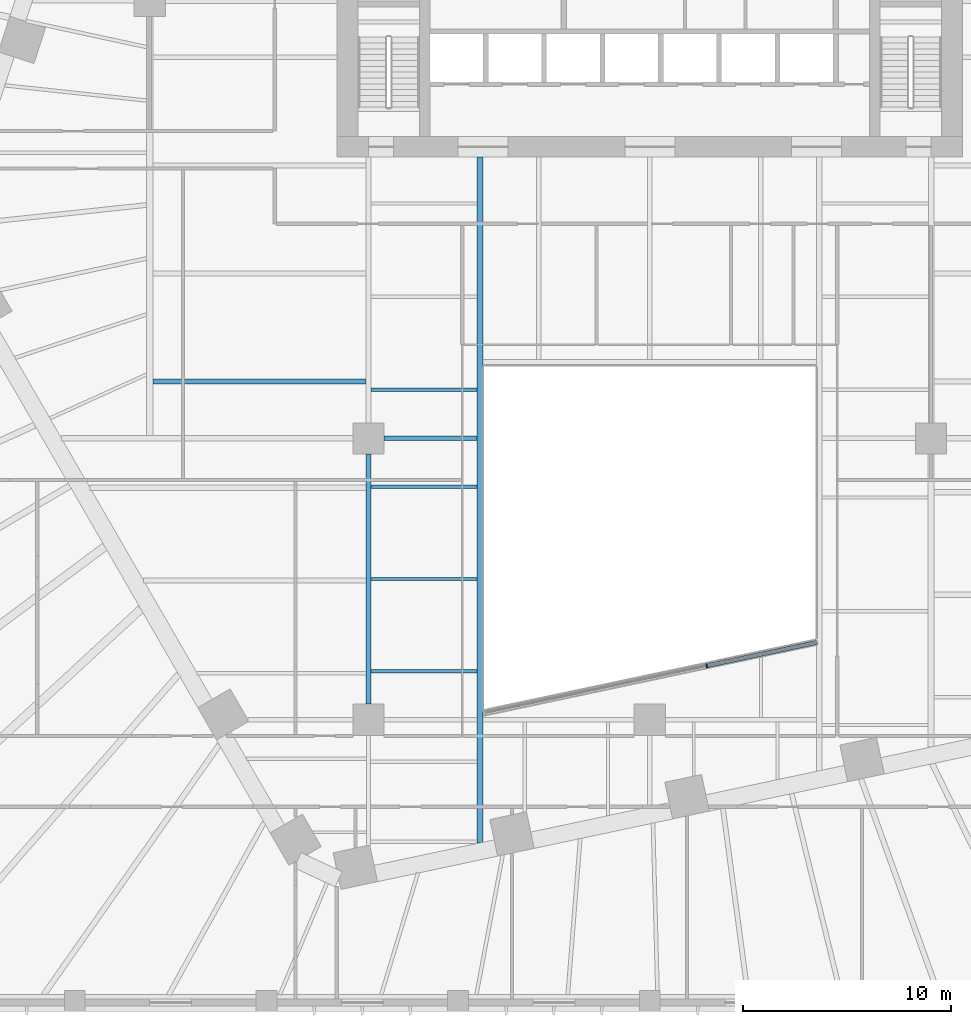
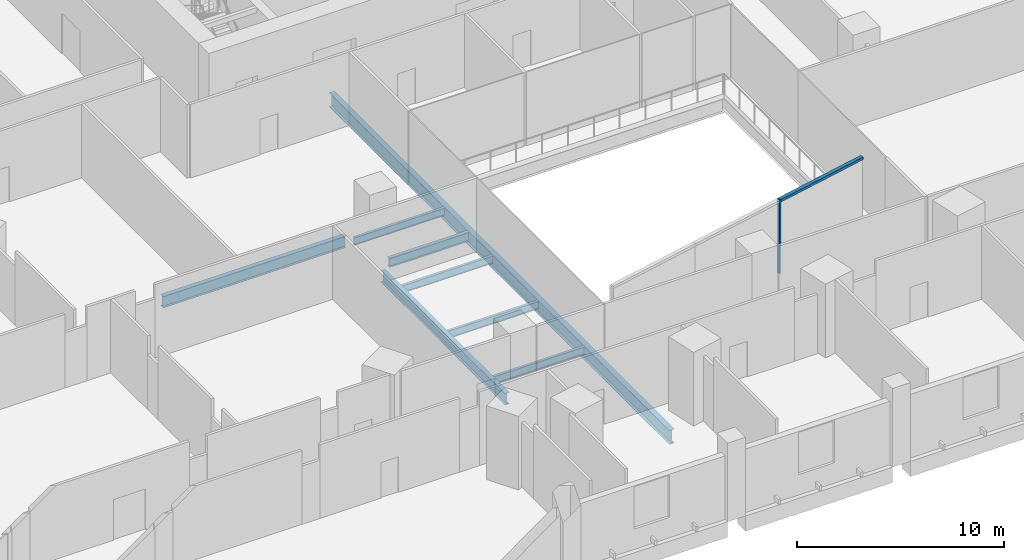
# One storey, part 3 of 33: 8 beams, 2 members, 1 element without a shape of its own.
"""IFC4 building model written with IfcOpenShell, lengths in metres."""

from ifc_helpers import new_model, si_unit, direction, frame, origin, origin_2d, place, context, subcontext, project, spatial, rectangle, i_section, extrude, material, layer, layer_set, material_profile, profile_set, type_object, element, aggregate, save


model = new_model("IFC4")

# Units and contexts
model_context = context("Model", 3, precision=1e-05, world=origin(), true_north=direction((0.0, 1.0)))
body_context = subcontext(model_context, "Body", "Model", "MODEL_VIEW")
ifc_project = project(units=[si_unit("LENGTHUNIT", "METRE"), si_unit("AREAUNIT", "SQUARE_METRE"), si_unit("VOLUMEUNIT", "CUBIC_METRE"), si_unit("PLANEANGLEUNIT", "RADIAN"), si_unit("MASSUNIT", "GRAM", prefix="KILO")], contexts=[model_context])

# Site, building, storey
site_placement = place(None, origin())
site = spatial("IfcSite", under=ifc_project, at=site_placement, CompositionType="ELEMENT")
building_placement = place(site_placement, origin())
building = spatial("IfcBuilding", under=site, at=building_placement, Name="Isthmus Gate Tower", CompositionType="ELEMENT")
storey_placement = place(building_placement, frame((0.0, 0.0, 31.5)))
storey = spatial("IfcBuildingStorey", under=building, at=storey_placement, Name="L05", CompositionType="ELEMENT", Elevation=31.5)

# Curtain wall, members
ifc_material_1 = material(Name="Aluminium, pale champagne anodised", Category="aluminium")
ifc_layer = layer(ifc_material_1, 0.199951171875)
ifc_layer_set = layer_set([ifc_layer], Name="CW-4 ATRIUM CURTAIN WALL 200 DEEP")
curtain_wall_type = type_object("IfcCurtainWallType", Name="CW-4 ATRIUM CURTAIN WALL 200 DEEP", PredefinedType="NOTDEFINED", material=ifc_layer_set)
curtain_wall_placement = place(storey_placement, origin())
curtain_wall = element("IfcCurtainWall", 1, at=curtain_wall_placement, inside=storey, type_object=curtain_wall_type, Name="CW-4 atrium south L05", PredefinedType="NOTDEFINED")
ifc_material_2 = material(Name="Aluminium, pale champagne anodised", Category="aluminium")
ifc_material_profile_1 = material_profile(ifc_material_2, rectangle(XDim=0.080078125, YDim=0.199951171875, at=origin_2d()), Name="80x200")
ifc_profile_set_1 = profile_set([ifc_material_profile_1], Name="Aluminium, pale champagne anodised")
member_type_1 = type_object("IfcMemberType", Name="CW-4 MULLION 80 X 200", PredefinedType="MULLION", material=ifc_profile_set_1)
member_1_placement = place(storey_placement, frame((2.737060546875, -24.415283203125, 0.0), z_axis=(0.0, 0.0, 1.0), x_axis=(0.978147600734, 0.207911690818, 0.0)))
member_1 = element("IfcMember", 2, at=member_1_placement, type_object=member_type_1, Name="CW-4 mullion", PredefinedType="MULLION", context=body_context, shape_type="SweptSolid", body=[
    extrude(rectangle(XDim=0.080078125, YDim=0.199951171875, at=origin_2d()), origin(), (0.0, 0.0, 1.0), 4.35009765625),
])
ifc_material_3 = material(Name="Aluminium, pale champagne anodised", Category="aluminium")
ifc_material_profile_2 = material_profile(ifc_material_3, rectangle(XDim=0.199951171875, YDim=0.14990234375, at=origin_2d()), Name="200x150")
ifc_profile_set_2 = profile_set([ifc_material_profile_2], Name="Aluminium, pale champagne anodised")
member_type_2 = type_object("IfcMemberType", Name="CW-4 TRANSOM 200 X 150", PredefinedType="USERDEFINED", material=ifc_profile_set_2)
member_2_placement = place(storey_placement, frame((2.776123046875, -24.406982421875, 4.27490234375), z_axis=(0.978140946274, 0.207942995129, 0.0), x_axis=(-0.207942995129, 0.978140946274, 0.0)))
member_2 = element("IfcMember", 3, at=member_2_placement, type_object=member_type_2, Name="CW-4 transom", ObjectType="TRANSOM", PredefinedType="USERDEFINED", context=body_context, shape_type="SweptSolid", body=[
    extrude(rectangle(XDim=0.199951171875, YDim=0.14990234375, at=origin_2d()), origin(), (0.0, 0.0, 1.0), 5.37255859375),
])
aggregate(curtain_wall, [member_1, member_2])

# Beams
ifc_material_4 = material(Name="Structural steel ASTM A992 Gr 50", Category="steel")
ifc_material_profile_3 = material_profile(ifc_material_4, i_section(OverallWidth=0.15234375, OverallDepth=0.45068359375, WebThickness=0.0078125, FlangeThickness=0.010986328125, at=origin_2d()), Name="W18X35")
ifc_profile_set_3 = profile_set([ifc_material_profile_3], Name="Structural steel ASTM A992 Gr 50")
beam_type_1 = type_object("IfcBeamType", Name="STEEL FLOOR BEAM W18X35", PredefinedType="JOIST", material=ifc_profile_set_3)
beam_1_placement = place(storey_placement, frame((-13.3681640625, -11.16259765625, -0.525390625), z_axis=(1.0, 0.0, 0.0), x_axis=(0.0, 1.0, 0.0)))
element("IfcBeam", 4, at=beam_1_placement, inside=storey, type_object=beam_type_1, Name="str-beam-L05-13-00", PredefinedType="JOIST", context=body_context, shape_type="SweptSolid", body=[
    extrude(i_section(OverallWidth=0.15234375, OverallDepth=0.45068359375, WebThickness=0.0078125, FlangeThickness=0.010986328125, at=origin_2d()), origin(), (0.0, 0.0, 1.0), 5.076171875),
])
for number, where, z_axis, x_axis, name in (
    (5, (-13.373046875, -24.68017578125, -0.525390625), (1.0, 0.0, 0.0), (0.0, 1.0, 0.0), "str-beam-L05-14-00"),
    (6, (-13.373046875, -20.25, -0.525390625), (1.0, 0.0, 0.0), (0.0, 1.0, 0.0), "str-beam-L05-14-01"),
    (7, (-13.373046875, -15.81982421875, -0.525390625), (1.0, 0.0, 0.0), (0.0, 1.0, 0.0), "str-beam-L05-14-02"),
):
    element("IfcBeam", number, at=place(storey_placement, frame(where, z_axis=z_axis, x_axis=x_axis)), inside=storey, type_object=beam_type_1, Name=name, PredefinedType="JOIST", context=body_context, shape_type="SweptSolid", body=[
        extrude(i_section(OverallWidth=0.15234375, OverallDepth=0.45068359375, WebThickness=0.0078125, FlangeThickness=0.010986328125, at=origin_2d()), origin(), (0.0, 0.0, 1.0), 5.0810546875),
    ])
ifc_material_5 = material(Name="Structural steel ASTM A992 Gr 50", Category="steel")
ifc_material_profile_4 = material_profile(ifc_material_5, i_section(OverallWidth=0.25390625, OverallDepth=0.679443359375, WebThickness=0.010986328125, FlangeThickness=0.015869140625, at=origin_2d()), Name="W27X84")
ifc_profile_set_4 = profile_set([ifc_material_profile_4], Name="Structural steel ASTM A992 Gr 50")
beam_type_2 = type_object("IfcBeamType", Name="STEEL FLOOR BEAM W27X84", PredefinedType="JOIST", material=ifc_profile_set_4)
beam_2_placement = place(storey_placement, frame((-23.84765625, -10.772705078125, -0.6396484375), z_axis=(1.0, 0.0, 0.0), x_axis=(0.0, 1.0, 0.0)))
element("IfcBeam", 8, at=beam_2_placement, inside=storey, type_object=beam_type_2, Name="str-beam-L05-08-00", PredefinedType="JOIST", context=body_context, shape_type="SweptSolid", body=[
    extrude(i_section(OverallWidth=0.25390625, OverallDepth=0.679443359375, WebThickness=0.010986328125, FlangeThickness=0.015869140625, at=origin_2d()), origin(), (0.0, 0.0, 1.0), 10.2158203125),
])
ifc_material_6 = material(Name="Structural steel ASTM A992 Gr 50", Category="steel")
ifc_material_profile_5 = material_profile(ifc_material_6, i_section(OverallWidth=0.20947265625, OverallDepth=0.533447265625, WebThickness=0.009521484375, FlangeThickness=0.015869140625, at=origin_2d()), Name="W21X62")
ifc_profile_set_5 = profile_set([ifc_material_profile_5], Name="Structural steel ASTM A992 Gr 50")
beam_type_3 = type_object("IfcBeamType", Name="STEEL GIRDER W21X62", PredefinedType="BEAM", material=ifc_profile_set_5)
beam_3_placement = place(storey_placement, frame((-12.75, -13.5, -0.566650390625), z_axis=(1.0, 0.0, 0.0), x_axis=(0.0, 1.0, 0.0)))
element("IfcBeam", 9, at=beam_3_placement, inside=storey, type_object=beam_type_3, Name="str-girder-L05-06", PredefinedType="BEAM", context=body_context, shape_type="SweptSolid", body=[
    extrude(i_section(OverallWidth=0.20947265625, OverallDepth=0.533447265625, WebThickness=0.009521484375, FlangeThickness=0.015869140625, at=origin_2d()), origin(), (0.0, 0.0, 1.0), 4.4580078125),
])
ifc_material_7 = material(Name="Structural steel ASTM A992 Gr 50", Category="steel")
ifc_material_profile_6 = material_profile(ifc_material_7, i_section(OverallWidth=0.25390625, OverallDepth=0.679443359375, WebThickness=0.010986328125, FlangeThickness=0.015869140625, at=origin_2d()), Name="W27X84")
ifc_profile_set_6 = profile_set([ifc_material_profile_6], Name="Structural steel ASTM A992 Gr 50")
beam_type_4 = type_object("IfcBeamType", Name="STEEL GIRDER W27X84", PredefinedType="BEAM", material=ifc_profile_set_6)
beam_4_placement = place(storey_placement, frame((-13.5, -26.25, -0.6396484375), z_axis=(0.0, 1.0, 0.0), x_axis=(-1.0, 0.0, 0.0)))
element("IfcBeam", 10, at=beam_4_placement, inside=storey, type_object=beam_type_4, Name="str-girder-L05-24", PredefinedType="BEAM", context=body_context, shape_type="SweptSolid", body=[
    extrude(i_section(OverallWidth=0.25390625, OverallDepth=0.679443359375, WebThickness=0.010986328125, FlangeThickness=0.015869140625, at=origin_2d()), origin(), (0.0, 0.0, 1.0), 12.0),
])
ifc_material_8 = material(Name="Structural steel ASTM A992 Gr 50", Category="steel")
ifc_material_profile_7 = material_profile(ifc_material_8, i_section(OverallWidth=0.2919921875, OverallDepth=0.8349609375, WebThickness=0.014404296875, FlangeThickness=0.01904296875, at=origin_2d()), Name="W33X118")
ifc_profile_set_7 = profile_set([ifc_material_profile_7], Name="Structural steel ASTM A992 Gr 50")
beam_type_5 = type_object("IfcBeamType", Name="STEEL TRIMMER W33X118", PredefinedType="BEAM", material=ifc_profile_set_7)
beam_5_placement = place(storey_placement, frame((-8.14599609375, 0.0, -0.717529296875), z_axis=(0.0, -1.0, 0.0), x_axis=(1.0, 0.0, 0.0)))
element("IfcBeam", 11, at=beam_5_placement, inside=storey, type_object=beam_type_5, Name="str-trimmer-L05-02", PredefinedType="BEAM", context=body_context, shape_type="SweptSolid", body=[
    extrude(i_section(OverallWidth=0.2919921875, OverallDepth=0.8349609375, WebThickness=0.014404296875, FlangeThickness=0.01904296875, at=origin_2d()), origin(), (0.0, 0.0, 1.0), 32.91357421875),
])

save(model, "model.ifc")
